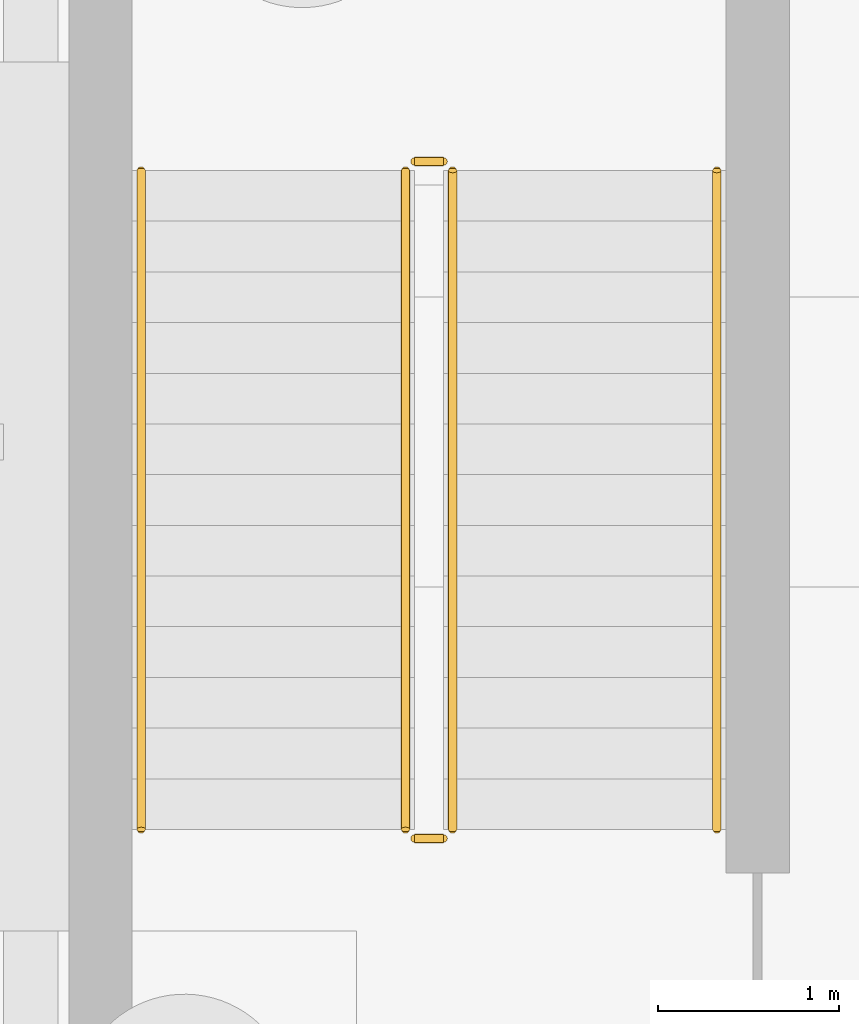
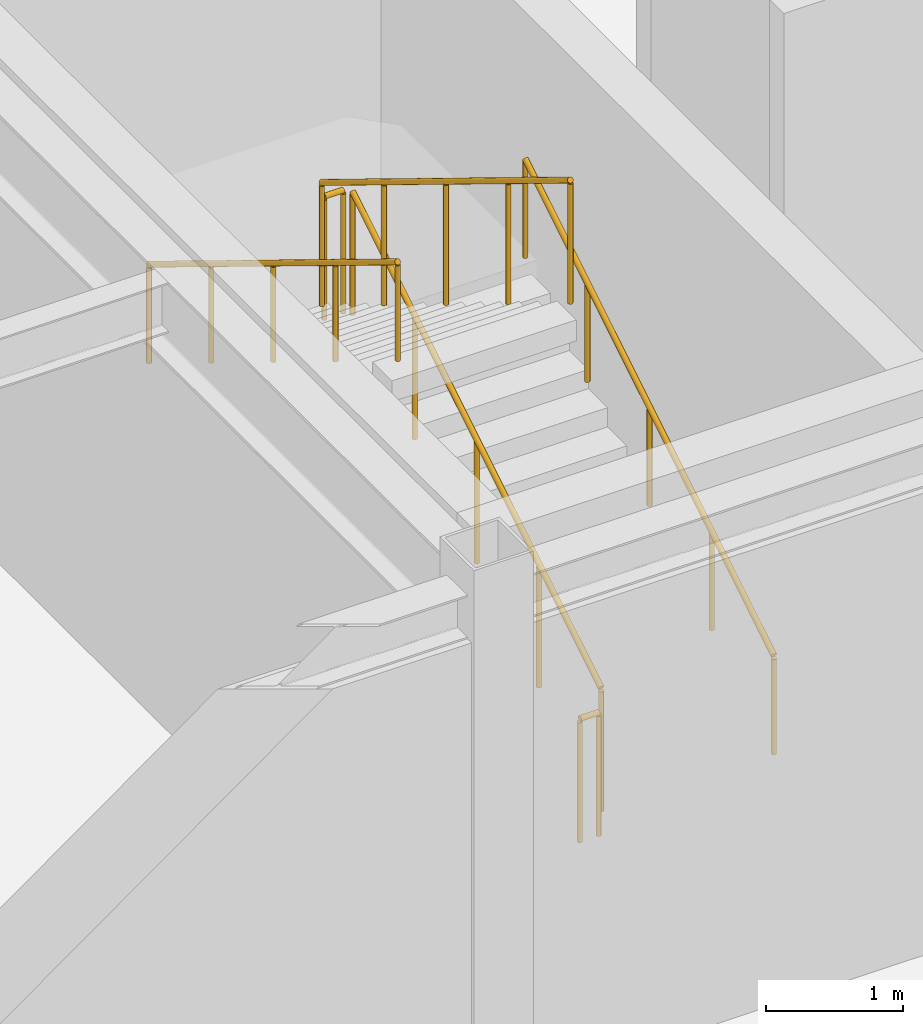
# One storey, part 64 of 74: 6 railings.
"""IFC4 building model written with IfcOpenShell, lengths in metres."""

from ifc_helpers import new_model, si_unit, direction, frame, origin, origin_2d, place, context, subcontext, project, spatial, circle, extrude, material, type_object, element, save


model = new_model("IFC4")

# Units and contexts
model_context = context("Model", 3, precision=1e-05, world=origin(), true_north=direction((0.0, 1.0)))
body_context = subcontext(model_context, "Body", "Model", "MODEL_VIEW")
ifc_project = project(units=[si_unit("LENGTHUNIT", "METRE"), si_unit("AREAUNIT", "SQUARE_METRE"), si_unit("VOLUMEUNIT", "CUBIC_METRE"), si_unit("PLANEANGLEUNIT", "RADIAN"), si_unit("MASSUNIT", "GRAM", prefix="KILO")], contexts=[model_context])

# Site, building, storey
site_placement = place(None, origin())
site = spatial("IfcSite", under=ifc_project, at=site_placement, CompositionType="ELEMENT")
building_placement = place(site_placement, origin())
building = spatial("IfcBuilding", under=site, at=building_placement, Name="Suzunagisa Mobility Hub", CompositionType="ELEMENT")
storey_placement = place(building_placement, frame((0.0, 0.0, -4.800048828125)))
storey = spatial("IfcBuildingStorey", under=building, at=storey_placement, Name="B1", CompositionType="ELEMENT", Elevation=-4.800048828125)

# Railings
ifc_material = material(Name="Stainless Steel SUS304", Category="metal")
railing_type_1 = type_object("IfcRailingType", Name="Interior Well Guardrail IGR-01", PredefinedType="GUARDRAIL", material=ifc_material)
railing_1_placement = place(storey_placement, frame((56.330078125, 82.360107421875, 0.17138671875)))
element("IfcRailing", 1, at=railing_1_placement, inside=storey, type_object=railing_type_1, Name="B1 ST-07 stair guard 1", PredefinedType="GUARDRAIL", context=body_context, shape_type="SweptSolid", body=[
    extrude(circle(Radius=0.02392578125, at=origin_2d()), frame((0.0, 0.0, 1.09619140625), z_axis=(0.0, 0.852824790078, 0.522197163366), x_axis=(-1.0, 0.0, 0.0)), (0.0, 0.0, 1.0), 4.26806640625),
    extrude(circle(Radius=0.02099609375, at=origin_2d()), origin(), (0.0, 0.0, 1.0), 1.072021484375),
    extrude(circle(Radius=0.02099609375, at=origin_2d()), frame((0.0, 0.909912109375, 0.55712890625)), (0.0, 0.0, 1.0), 1.072021484375),
    extrude(circle(Radius=0.02099609375, at=origin_2d()), frame((0.0, 1.81982421875, 1.1142578125)), (0.0, 0.0, 1.0), 1.072021484375),
    extrude(circle(Radius=0.02099609375, at=origin_2d()), frame((0.0, 2.72998046875, 1.671630859375)), (0.0, 0.0, 1.0), 1.072021484375),
    extrude(circle(Radius=0.02099609375, at=origin_2d()), frame((0.0, 3.639892578125, 2.228759765625)), (0.0, 0.0, 1.0), 1.072021484375),
])
railing_2_placement = place(storey_placement, frame((56.280029296875, 86.050048828125, 2.400146484375)))
element("IfcRailing", 2, at=railing_2_placement, inside=storey, type_object=railing_type_1, Name="B1 ST-07 stair guard 2", PredefinedType="GUARDRAIL", context=body_context, shape_type="SweptSolid", body=[
    extrude(circle(Radius=0.02392578125, at=origin_2d()), frame((0.0, 0.0, 1.09619140625), z_axis=(-1.0, 0.0, 0.0), x_axis=(0.0, -1.0, 0.0)), (0.0, 0.0, 1.0), 0.159912109375),
    extrude(circle(Radius=0.02099609375, at=origin_2d()), origin(), (0.0, 0.0, 1.0), 1.072021484375),
    extrude(circle(Radius=0.02099609375, at=origin_2d()), frame((-0.159912109375, 0.0, 0.0)), (0.0, 0.0, 1.0), 1.072021484375),
])
railing_3_placement = place(storey_placement, frame((56.070068359375, 86.0, 2.571533203125)))
element("IfcRailing", 3, at=railing_3_placement, inside=storey, type_object=railing_type_1, Name="B1 ST-07 stair guard 3", PredefinedType="GUARDRAIL", context=body_context, shape_type="SweptSolid", body=[
    extrude(circle(Radius=0.02392578125, at=origin_2d()), frame((0.0, 0.0, 1.09619140625), z_axis=(0.0, -0.852850264322, 0.5221555579), x_axis=(1.0, 0.0, 0.0)), (0.0, 0.0, 1.0), 4.267822265625),
    extrude(circle(Radius=0.02099609375, at=origin_2d()), origin(), (0.0, 0.0, 1.0), 1.072021484375),
    extrude(circle(Radius=0.02099609375, at=origin_2d()), frame((0.0, -0.909912109375, 0.55712890625)), (0.0, 0.0, 1.0), 1.072021484375),
    extrude(circle(Radius=0.02099609375, at=origin_2d()), frame((0.0, -1.81982421875, 1.1142578125)), (0.0, 0.0, 1.0), 1.072021484375),
    extrude(circle(Radius=0.02099609375, at=origin_2d()), frame((0.0, -2.72998046875, 1.67138671875)), (0.0, 0.0, 1.0), 1.072021484375),
    extrude(circle(Radius=0.02099609375, at=origin_2d()), frame((0.0, -3.639892578125, 2.228515625)), (0.0, 0.0, 1.0), 1.072021484375),
])
railing_4_placement = place(storey_placement, frame((56.280029296875, 82.31005859375, 0.0)))
element("IfcRailing", 4, at=railing_4_placement, inside=storey, type_object=railing_type_1, Name="B1 ST-07 stair guard 4", PredefinedType="GUARDRAIL", context=body_context, shape_type="SweptSolid", body=[
    extrude(circle(Radius=0.02392578125, at=origin_2d()), frame((0.0, 0.0, 1.09619140625), z_axis=(-1.0, 0.0, 0.0), x_axis=(0.0, -1.0, 0.0)), (0.0, 0.0, 1.0), 0.159912109375),
    extrude(circle(Radius=0.02099609375, at=origin_2d()), origin(), (0.0, 0.0, 1.0), 1.072021484375),
    extrude(circle(Radius=0.02099609375, at=origin_2d()), frame((-0.159912109375, 0.0, 0.0)), (0.0, 0.0, 1.0), 1.072021484375),
])
railing_type_2 = type_object("IfcRailingType", Name="Tubular Stainless Stair Handrail IHR-01", PredefinedType="HANDRAIL", material=ifc_material)
railing_5_placement = place(storey_placement, frame((57.7900390625, 82.360107421875, 0.17138671875)))
element("IfcRailing", 5, at=railing_5_placement, inside=storey, type_object=railing_type_2, Name="B1 ST-07 stair handrail 1", PredefinedType="HANDRAIL", context=body_context, shape_type="SweptSolid", body=[
    extrude(circle(Radius=0.02392578125, at=origin_2d()), frame((0.0, 0.0, 0.8759765625), z_axis=(0.0, 0.852824790078, 0.522197163366), x_axis=(-1.0, 0.0, 0.0)), (0.0, 0.0, 1.0), 4.26806640625),
    extrude(circle(Radius=0.02099609375, at=origin_2d()), origin(), (0.0, 0.0, 1.0), 0.851806640625),
    extrude(circle(Radius=0.02099609375, at=origin_2d()), frame((0.0, 0.909912109375, 0.55712890625)), (0.0, 0.0, 1.0), 0.851806640625),
    extrude(circle(Radius=0.02099609375, at=origin_2d()), frame((0.0, 1.81982421875, 1.1142578125)), (0.0, 0.0, 1.0), 0.851806640625),
    extrude(circle(Radius=0.02099609375, at=origin_2d()), frame((0.0, 2.72998046875, 1.671630859375)), (0.0, 0.0, 1.0), 0.851806640625),
    extrude(circle(Radius=0.02099609375, at=origin_2d()), frame((0.0, 3.639892578125, 2.228759765625)), (0.0, 0.0, 1.0), 0.851806640625),
])
railing_6_placement = place(storey_placement, frame((54.610107421875, 86.0, 2.571533203125)))
element("IfcRailing", 6, at=railing_6_placement, inside=storey, type_object=railing_type_2, Name="B1 ST-07 stair handrail 2", PredefinedType="HANDRAIL", context=body_context, shape_type="SweptSolid", body=[
    extrude(circle(Radius=0.02392578125, at=origin_2d()), frame((0.0, 0.0, 0.8759765625), z_axis=(0.0, -0.852850264322, 0.5221555579), x_axis=(1.0, 0.0, 0.0)), (0.0, 0.0, 1.0), 4.267822265625),
    extrude(circle(Radius=0.02099609375, at=origin_2d()), origin(), (0.0, 0.0, 1.0), 0.851806640625),
    extrude(circle(Radius=0.02099609375, at=origin_2d()), frame((0.0, -0.909912109375, 0.55712890625)), (0.0, 0.0, 1.0), 0.851806640625),
    extrude(circle(Radius=0.02099609375, at=origin_2d()), frame((0.0, -1.81982421875, 1.1142578125)), (0.0, 0.0, 1.0), 0.851806640625),
    extrude(circle(Radius=0.02099609375, at=origin_2d()), frame((0.0, -2.72998046875, 1.67138671875)), (0.0, 0.0, 1.0), 0.851806640625),
    extrude(circle(Radius=0.02099609375, at=origin_2d()), frame((0.0, -3.639892578125, 2.228515625)), (0.0, 0.0, 1.0), 0.851806640625),
])

save(model, "model.ifc")
